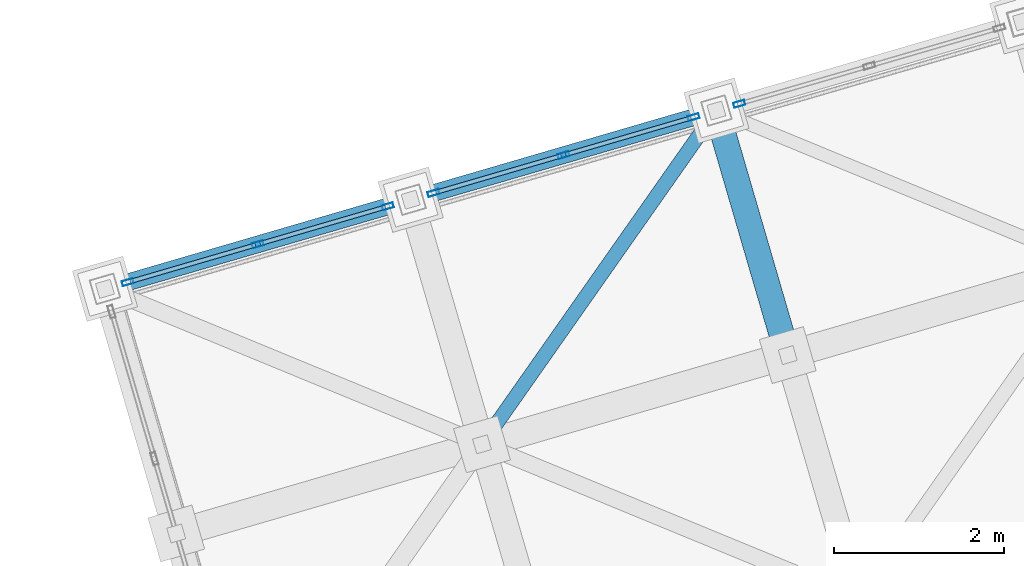
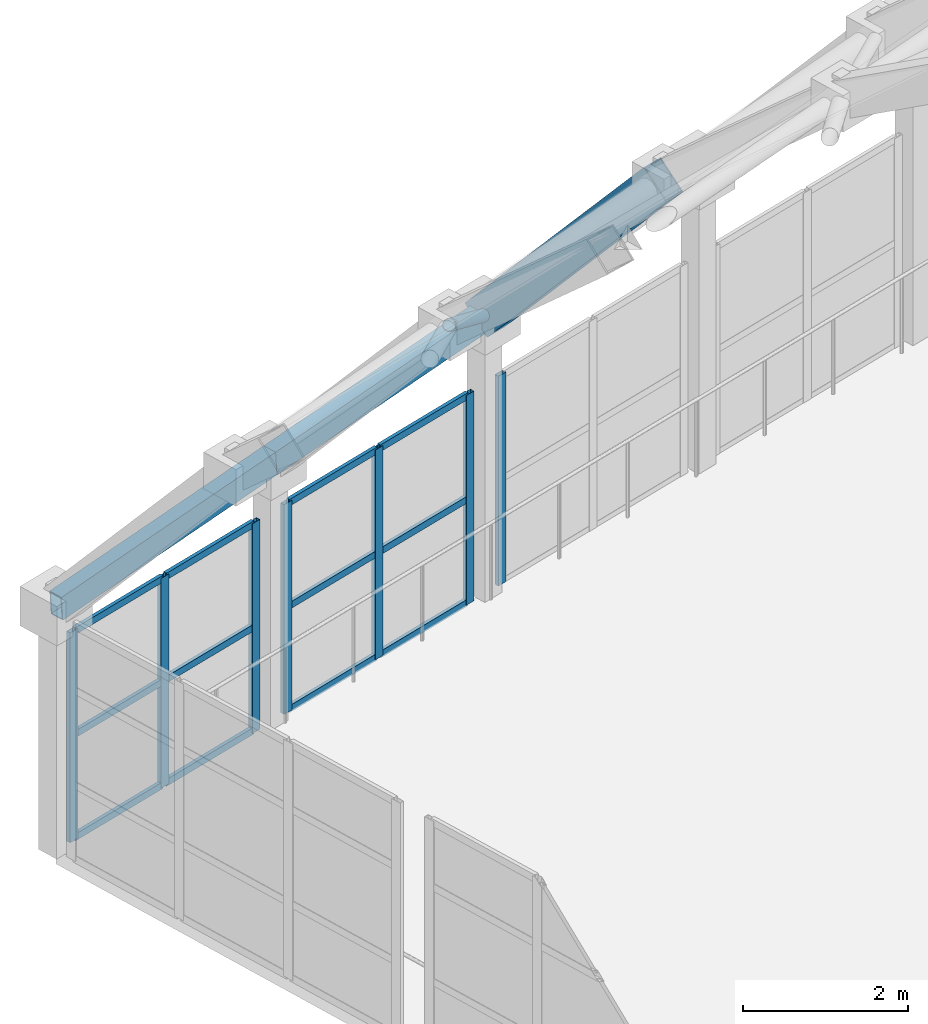
# One storey, part 53 of 248: 20 members, 3 beams, 3 elements without a shape of their own.
"""IFC4 building model written with IfcOpenShell, lengths in metres."""

import ifcopenshell
import ifcopenshell.guid

model = None  # the IFC model being written
_history = None  # IfcOwnerHistory: only IFC2X3 demands one
_inside = {}  # id of a spatial element -> (the spatial element, [elements in it])
_under = {}  # id of a project, library or spatial element -> (it, [spatial elements below it])
_declared = {}  # id of a project -> (the project, [libraries it declares])
_typed = {}  # id of a type object -> (the type object, [elements of that type])
_made_of = {}  # id of a material, layer set ... -> (it, [elements and type objects made of it])


def new_model(schema):
    """Start an empty IFC model of exactly this schema.

    Asked for "IFC4X3", IfcOpenShell would pick the latest addendum, in which some entities
    have other attributes; the version numbers below select the first issue.
    IFC2X3 requires an IfcOwnerHistory on every rooted entity: one is made here for all.
    """
    global model, _history
    if schema == "IFC4X3":
        model = ifcopenshell.file(schema_version=(4, 3, 0, 0))
    else:
        model = ifcopenshell.file(schema=schema)
    _inside.clear()
    _under.clear()
    _declared.clear()
    _typed.clear()
    _made_of.clear()
    _history = None
    if model.schema == "IFC2X3":
        org = make("IfcOrganization", Name="unknown")
        user = make(
            "IfcPersonAndOrganization",
            ThePerson=make("IfcPerson", FamilyName="unknown"),
            TheOrganization=org,
        )
        app = make(
            "IfcApplication",
            ApplicationDeveloper=org,
            Version="unknown",
            ApplicationFullName="unknown",
            ApplicationIdentifier="unknown",
        )
        _history = make(
            "IfcOwnerHistory",
            OwningUser=user,
            OwningApplication=app,
            ChangeAction="ADDED",
            CreationDate=0,
        )
    return model


def make(cls, **values):
    """One entity of the class cls with the attributes given. An attribute that is None is left unset."""
    return model.create_entity(
        cls, **{name: value for name, value in values.items() if value is not None}
    )


def rooted(cls, **values):
    """An entity with a GlobalId (a new one), such as an element, a storey or a relation."""
    return make(cls, GlobalId=ifcopenshell.guid.new(), OwnerHistory=_history, **values)


def si_unit(unit_type, name, prefix=None):
    """IfcSIUnit, for example si_unit("LENGTHUNIT", "METRE", prefix="MILLI")."""
    return make("IfcSIUnit", UnitType=unit_type, Prefix=prefix, Name=name)


def assignment(units):
    """IfcUnitAssignment: the units of a project."""
    return None if units is None else make("IfcUnitAssignment", Units=units)


def point(xyz):
    """IfcCartesianPoint."""
    return None if xyz is None else make("IfcCartesianPoint", Coordinates=xyz)


def direction(xyz):
    """IfcDirection."""
    return None if xyz is None else make("IfcDirection", DirectionRatios=xyz)


def frame(location, z_axis=None, x_axis=None):
    """IfcAxis2Placement3D, a coordinate frame: its origin and axes. An axis left out is left unset."""
    return make(
        "IfcAxis2Placement3D",
        Location=point(location),
        Axis=direction(z_axis),
        RefDirection=direction(x_axis),
    )


def frame_2d(location, x_axis=None):
    """IfcAxis2Placement2D, a coordinate frame in the plane: its origin and x axis."""
    return make(
        "IfcAxis2Placement2D", Location=point(location), RefDirection=direction(x_axis)
    )


def origin():
    """The frame at (0, 0, 0) with its axes left unset."""
    return frame((0.0, 0.0, 0.0))


def origin_2d():
    """The frame at (0, 0) in the plane with its x axis left unset."""
    return frame_2d((0.0, 0.0))


def place(relative_to, where):
    """IfcLocalPlacement: puts the frame where relative to a parent placement (None: the world)."""
    return make(
        "IfcLocalPlacement", PlacementRelTo=relative_to, RelativePlacement=where
    )


def context(
    kind, dimensions, precision=None, world=None, true_north=None, identifier=None
):
    """IfcGeometricRepresentationContext, for example the 3D "Model" context."""
    return make(
        "IfcGeometricRepresentationContext",
        ContextIdentifier=identifier,
        ContextType=kind,
        CoordinateSpaceDimension=dimensions,
        Precision=precision,
        WorldCoordinateSystem=world,
        TrueNorth=true_north,
    )


def subcontext(parent, identifier, kind, view, scale=None):
    """IfcGeometricRepresentationSubContext, for example "Body" below "Model"."""
    return make(
        "IfcGeometricRepresentationSubContext",
        ContextIdentifier=identifier,
        ContextType=kind,
        ParentContext=parent,
        TargetScale=scale,
        TargetView=view,
    )


def project(units=None, contexts=None):
    """IfcProject with its units and contexts."""
    return rooted(
        "IfcProject",
        Name="project",
        RepresentationContexts=contexts,
        UnitsInContext=assignment(units),
    )


def spatial(cls, under=None, at=None, **own):
    """A site, building, storey or space (cls), placed at a placement, below another one or the project."""
    s = rooted(cls, ObjectPlacement=at, **own)
    if under is not None:
        _under.setdefault(under.id(), (under, []))[1].append(s)
    return s


def profile(cls, at=None, kind="AREA", **sizes):
    """A parametric profile (cls). Its sizes go by their IFC names, for example OverallWidth=200.0."""
    return make(cls, ProfileType=kind, Position=at, **sizes)


def hollow_rectangle(**sizes):
    """IfcRectangleHollowProfileDef."""
    return profile("IfcRectangleHollowProfileDef", **sizes)


def hollow_circle(**sizes):
    """IfcCircleHollowProfileDef."""
    return profile("IfcCircleHollowProfileDef", **sizes)


def extrude(swept, where, along, depth):
    """IfcExtrudedAreaSolid: the profile swept, set in the frame where, extruded along a direction by depth."""
    return make(
        "IfcExtrudedAreaSolid",
        SweptArea=swept,
        Position=where,
        ExtrudedDirection=direction(along),
        Depth=depth,
    )


def shape(context_of_items, identifier, shape_type, items):
    """IfcShapeRepresentation: the items that make up one representation, for example the "Body"."""
    return make(
        "IfcShapeRepresentation",
        ContextOfItems=context_of_items,
        RepresentationIdentifier=identifier,
        RepresentationType=shape_type,
        Items=items,
    )


def material(Name=None, Category=None):
    """IfcMaterial."""
    return make("IfcMaterial", Name=Name, Category=Category)


def layer(
    of_material, thickness, ventilated=None, Name=None, Category=None, Priority=None
):
    """IfcMaterialLayer: one layer of a wall or slab, of a material (None: an air gap)."""
    return make(
        "IfcMaterialLayer",
        Material=of_material,
        LayerThickness=thickness,
        IsVentilated=ventilated,
        Name=Name,
        Category=Category,
        Priority=Priority,
    )


def layer_set(layers, Name=None):
    """IfcMaterialLayerSet."""
    return make("IfcMaterialLayerSet", MaterialLayers=layers, LayerSetName=Name)


def material_profile(
    of_material, cross_section, Name=None, Category=None, Priority=None
):
    """IfcMaterialProfile: a cross section and its material."""
    return make(
        "IfcMaterialProfile",
        Name=Name,
        Material=of_material,
        Profile=cross_section,
        Priority=Priority,
        Category=Category,
    )


def profile_set(profiles, Name=None, composite=None):
    """IfcMaterialProfileSet."""
    return make(
        "IfcMaterialProfileSet",
        Name=Name,
        MaterialProfiles=profiles,
        CompositeProfile=composite,
    )


def made_of(thing, what):
    """Note that an element or type object is made of a material, layer set ...; save() writes the relation."""
    if what is not None:
        _made_of.setdefault(what.id(), (what, []))[1].append(thing)
    return thing


def type_object(cls, material=None, **own):
    """A type object (cls), such as IfcWallType, which elements share."""
    return made_of(rooted(cls, **own), material)


def element(
    cls,
    number,
    at=None,
    inside=None,
    cuts=None,
    type_object=None,
    material=None,
    context=None,
    identifier="Body",
    shape_type=None,
    held_by="IfcProductDefinitionShape",
    body=None,
    shapes=None,
    **own,
):
    """One element of the class cls, such as IfcWall. Its Tag is "e" and its number.

    at: its placement. inside: the storey or other place that contains it. cuts: it is an
    opening in that element (IfcRelVoidsElement). A single representation is given by context,
    identifier, shape_type and body (its items); several are given by shapes. held_by: the class
    of the entity that holds the representations. save() writes the other relations.
    """
    e = rooted(cls, Tag="e%d" % number, ObjectPlacement=at, **own)
    if body is not None:
        shapes = [shape(context, identifier, shape_type, body)]
    if shapes is not None:
        e.Representation = make(held_by, Representations=shapes)
    if inside is not None:
        _inside.setdefault(inside.id(), (inside, []))[1].append(e)
    if cuts is not None:
        rooted(
            "IfcRelVoidsElement", RelatingBuildingElement=cuts, RelatedOpeningElement=e
        )
    if type_object is not None:
        _typed.setdefault(type_object.id(), (type_object, []))[1].append(e)
    return made_of(e, material)


def aggregate(whole, parts):
    """IfcRelAggregates: a whole, such as a stair, and the parts it consists of."""
    return rooted("IfcRelAggregates", RelatingObject=whole, RelatedObjects=parts)


def save(model, path):
    """Write the relations noted so far, then the file.

    IfcRelAggregates (storeys below a building ...), IfcRelContainedInSpatialStructure (elements
    in a storey), IfcRelDefinesByType, IfcRelAssociatesMaterial and IfcRelDeclares: one each for
    every whole, place, type object, material and project.
    """
    for whole, parts in _under.values():
        aggregate(whole, parts)
    for where, things in _inside.values():
        rooted(
            "IfcRelContainedInSpatialStructure",
            RelatedElements=things,
            RelatingStructure=where,
        )
    for kind, things in _typed.values():
        rooted("IfcRelDefinesByType", RelatedObjects=things, RelatingType=kind)
    for what, things in _made_of.values():
        rooted("IfcRelAssociatesMaterial", RelatedObjects=things, RelatingMaterial=what)
    for by, libraries in _declared.values():
        rooted("IfcRelDeclares", RelatingContext=by, RelatedDefinitions=libraries)
    model.write(path)


model = new_model("IFC4")

# Units and contexts
model_context = context("Model", 3, precision=1e-05, world=origin(), true_north=direction((0.0, 1.0)))
body_context = subcontext(model_context, "Body", "Model", "MODEL_VIEW")
ifc_project = project(units=[si_unit("LENGTHUNIT", "METRE"), si_unit("AREAUNIT", "SQUARE_METRE"), si_unit("VOLUMEUNIT", "CUBIC_METRE"), si_unit("PLANEANGLEUNIT", "RADIAN"), si_unit("MASSUNIT", "GRAM", prefix="KILO")], contexts=[model_context])

# Site, building, storey
site_placement = place(None, origin())
site = spatial("IfcSite", under=ifc_project, at=site_placement, CompositionType="ELEMENT")
building_placement = place(site_placement, origin())
building = spatial("IfcBuilding", under=site, at=building_placement, Name="Canggui Botanical Conservatory", CompositionType="ELEMENT")
storey_placement = place(building_placement, frame((0.0, 0.0, 5.39990234375)))
storey = spatial("IfcBuildingStorey", under=building, at=storey_placement, Name="L02", CompositionType="ELEMENT", Elevation=5.39990234375)

# Beams
ifc_material_1 = material(Name="Steel Q355C", Category="steel")
ifc_material_profile_1 = material_profile(ifc_material_1, hollow_rectangle(XDim=0.300048828125, YDim=0.5, WallThickness=0.01611328125, at=origin_2d()), Name="RHS 300x500x16")
ifc_profile_set_1 = profile_set([ifc_material_profile_1], Name="Steel Q355C")
beam_type_1 = type_object("IfcBeamType", Name="BM-GJ01", PredefinedType="BEAM", material=ifc_profile_set_1)
beam_placement = place(storey_placement, frame((19.639892578125, 70.02001953125, 7.55615234375), z_axis=(-0.183516511104, 0.629290920054, -0.755191782324), x_axis=(-0.960010937337, -0.279962497833, 0.0)))
element("IfcBeam", 1, at=beam_placement, inside=storey, type_object=beam_type_1, Name="Conservatory Stepped-Arch Rib GJ-03 Segment 10", PredefinedType="BEAM", context=body_context, shape_type="SweptSolid", body=[
    extrude(hollow_rectangle(XDim=0.300048828125, YDim=0.5, WallThickness=0.01611328125, at=origin_2d()), origin(), (0.0, 0.0, 1.0), 4.576416015625),
])
ifc_material_profile_2 = material_profile(ifc_material_1, hollow_rectangle(XDim=0.199951171875, YDim=0.35009765625, WallThickness=0.011962890625, at=origin_2d()), Name="RHS 200x350x12")
ifc_profile_set_2 = profile_set([ifc_material_profile_2], Name="Steel Q355C")
beam_type_2 = type_object("IfcBeamType", Name="BM-RING01", PredefinedType="BEAM", material=ifc_profile_set_2)
for number, where, z_axis, x_axis, name in (
    (2, (11.60009765625, 70.800048828125, 3.60009765625), (0.957867059601, 0.279402253194, 0.066521252562), (-0.280022500685, 0.959993437014, 0.0), "Conservatory Perimeter Ring Beam V1-01"),
    (3, (15.199951171875, 71.85009765625, 3.85009765625), (0.957889800097, 0.279324979006, 0.066518320582), (-0.279945000113, 0.960016039924, 0.0), "Conservatory Perimeter Ring Beam V1-02"),
):
    element("IfcBeam", number, at=place(storey_placement, frame(where, z_axis=z_axis, x_axis=x_axis)), inside=storey, type_object=beam_type_2, Name=name, PredefinedType="BEAM", context=body_context, shape_type="SweptSolid", body=[
        extrude(hollow_rectangle(XDim=0.199951171875, YDim=0.35009765625, WallThickness=0.011962890625, at=origin_2d()), origin(), (0.0, 0.0, 1.0), 3.75830078125),
    ])

# Curtain wall, members
ifc_material_2 = material(Name="Thermally Broken Aluminium", Category="aluminium")
ifc_layer = layer(ifc_material_2, 0.135009765625, Name="Thermally Broken Aluminium", Category="aluminium")
ifc_layer_set = layer_set([ifc_layer], Name="Thermally Broken Aluminium")
curtain_wall_type = type_object("IfcCurtainWallType", Name="CW-STICK-A", PredefinedType="USERDEFINED", material=ifc_layer_set)
curtain_wall_1_placement = place(storey_placement, origin())
curtain_wall_1 = element("IfcCurtainWall", 4, at=curtain_wall_1_placement, inside=storey, type_object=curtain_wall_type, Name="Facade Curtain Wall CW-CONS-L02-V1-01", ObjectType="STICK GLAZED WALL", PredefinedType="USERDEFINED")
ifc_material_profile_3 = material_profile(ifc_material_2, hollow_rectangle(XDim=0.06005859375, YDim=0.135009765625, WallThickness=0.00341796875, at=origin_2d()), Name="CWM 60x135x3.5")
ifc_profile_set_3 = profile_set([ifc_material_profile_3], Name="Thermally Broken Aluminium")
member_type_1 = type_object("IfcMemberType", Name="CWM-04", PredefinedType="MULLION", material=ifc_profile_set_3)
member_1_placement = place(storey_placement, frame((11.868896484375, 70.87841796875, 0.0), z_axis=(0.0, 0.0, 1.0), x_axis=(-0.279999999995, 0.960000000002, 0.0)))
member_1 = element("IfcMember", 5, at=member_1_placement, type_object=member_type_1, Name="CW-04 mullion 1", PredefinedType="MULLION", context=body_context, shape_type="SweptSolid", body=[
    extrude(hollow_rectangle(XDim=0.06005859375, YDim=0.135009765625, WallThickness=0.00341796875, at=origin_2d()), origin(), (0.0, 0.0, 1.0), 3.10009765625),
])
member_2_placement = place(storey_placement, frame((13.39990234375, 71.324951171875, 0.0), z_axis=(0.0, 0.0, 1.0), x_axis=(-0.279999999995, 0.960000000002, 0.0)))
member_2 = element("IfcMember", 6, at=member_2_placement, type_object=member_type_1, Name="CW-04 mullion 2", PredefinedType="MULLION", context=body_context, shape_type="SweptSolid", body=[
    extrude(hollow_rectangle(XDim=0.06005859375, YDim=0.135009765625, WallThickness=0.00341796875, at=origin_2d()), origin(), (0.0, 0.0, 1.0), 3.10009765625),
])
member_3_placement = place(storey_placement, frame((14.93115234375, 71.771484375, 0.0), z_axis=(0.0, 0.0, 1.0), x_axis=(-0.279999999995, 0.960000000002, 0.0)))
member_3 = element("IfcMember", 7, at=member_3_placement, type_object=member_type_1, Name="CW-04 mullion 3", PredefinedType="MULLION", context=body_context, shape_type="SweptSolid", body=[
    extrude(hollow_rectangle(XDim=0.06005859375, YDim=0.135009765625, WallThickness=0.00341796875, at=origin_2d()), origin(), (0.0, 0.0, 1.0), 3.10009765625),
])

curtain_wall_2_placement = place(storey_placement, origin())
curtain_wall_2 = element("IfcCurtainWall", 8, at=curtain_wall_2_placement, inside=storey, type_object=curtain_wall_type, Name="Facade Curtain Wall CW-CONS-L02-V1-02", ObjectType="STICK GLAZED WALL", PredefinedType="USERDEFINED")
member_4_placement = place(storey_placement, frame((15.46875, 71.928466796875, 0.0), z_axis=(0.0, 0.0, 1.0), x_axis=(-0.279999999995, 0.960000000002, 0.0)))
member_4 = element("IfcMember", 9, at=member_4_placement, type_object=member_type_1, Name="CW-04 mullion 1", PredefinedType="MULLION", context=body_context, shape_type="SweptSolid", body=[
    extrude(hollow_rectangle(XDim=0.06005859375, YDim=0.135009765625, WallThickness=0.00341796875, at=origin_2d()), origin(), (0.0, 0.0, 1.0), 3.10009765625),
])
member_5_placement = place(storey_placement, frame((17.0, 72.375, 0.0), z_axis=(0.0, 0.0, 1.0), x_axis=(-0.279999999995, 0.960000000002, 0.0)))
member_5 = element("IfcMember", 10, at=member_5_placement, type_object=member_type_1, Name="CW-04 mullion 2", PredefinedType="MULLION", context=body_context, shape_type="SweptSolid", body=[
    extrude(hollow_rectangle(XDim=0.06005859375, YDim=0.135009765625, WallThickness=0.00341796875, at=origin_2d()), origin(), (0.0, 0.0, 1.0), 3.10009765625),
])
member_6_placement = place(storey_placement, frame((18.53125, 72.821533203125, 0.0), z_axis=(0.0, 0.0, 1.0), x_axis=(-0.279999999995, 0.960000000002, 0.0)))
member_6 = element("IfcMember", 11, at=member_6_placement, type_object=member_type_1, Name="CW-04 mullion 3", PredefinedType="MULLION", context=body_context, shape_type="SweptSolid", body=[
    extrude(hollow_rectangle(XDim=0.06005859375, YDim=0.135009765625, WallThickness=0.00341796875, at=origin_2d()), origin(), (0.0, 0.0, 1.0), 3.10009765625),
])

# Curtain wall, member
curtain_wall_3_placement = place(storey_placement, origin())
curtain_wall_3 = element("IfcCurtainWall", 12, at=curtain_wall_3_placement, inside=storey, type_object=curtain_wall_type, Name="Facade Curtain Wall CW-CONS-L02-V1-03", ObjectType="STICK GLAZED WALL", PredefinedType="USERDEFINED")
member_7_placement = place(storey_placement, frame((19.06884765625, 72.978515625, 0.0), z_axis=(0.0, 0.0, 1.0), x_axis=(-0.279999999995, 0.960000000002, 0.0)))
member_7 = element("IfcMember", 13, at=member_7_placement, type_object=member_type_1, Name="CW-04 mullion 1", PredefinedType="MULLION", context=body_context, shape_type="SweptSolid", body=[
    extrude(hollow_rectangle(XDim=0.06005859375, YDim=0.135009765625, WallThickness=0.00341796875, at=origin_2d()), origin(), (0.0, 0.0, 1.0), 3.10009765625),
])
aggregate(curtain_wall_3, [member_7])

# Member
ifc_material_profile_4 = material_profile(ifc_material_2, hollow_rectangle(XDim=0.050048828125, YDim=0.10009765625, WallThickness=0.0029296875, at=origin_2d()), Name="CWT 50x100x3")
ifc_profile_set_4 = profile_set([ifc_material_profile_4], Name="Thermally Broken Aluminium")
member_type_2 = type_object("IfcMemberType", Name="CWT-04", PredefinedType="USERDEFINED", material=ifc_profile_set_4)
member_8_placement = place(storey_placement, frame((11.897705078125, 70.88671875, 0.025146484375), z_axis=(0.95996614364, 0.28011605285, 0.0), x_axis=(-0.28011605285, 0.95996614364, 0.0)))
member_8 = element("IfcMember", 14, at=member_8_placement, type_object=member_type_2, Name="CW-04 transom 1.1", ObjectType="TRANSOM", PredefinedType="USERDEFINED", context=body_context, shape_type="SweptSolid", body=[
    extrude(hollow_rectangle(XDim=0.050048828125, YDim=0.10009765625, WallThickness=0.0029296875, at=origin_2d()), origin(), (0.0, 0.0, 1.0), 1.534912109375),
])

member_9_placement = place(storey_placement, frame((11.897705078125, 70.88671875, 1.550048828125), z_axis=(0.95996614364, 0.28011605285, 0.0), x_axis=(-0.28011605285, 0.95996614364, 0.0)))
member_9 = element("IfcMember", 15, at=member_9_placement, type_object=member_type_2, Name="CW-04 transom 1.2", ObjectType="TRANSOM", PredefinedType="USERDEFINED", context=body_context, shape_type="SweptSolid", body=[
    extrude(hollow_rectangle(XDim=0.050048828125, YDim=0.10009765625, WallThickness=0.0029296875, at=origin_2d()), origin(), (0.0, 0.0, 1.0), 1.534912109375),
])

member_10_placement = place(storey_placement, frame((11.897705078125, 70.88671875, 3.0751953125), z_axis=(0.95996614364, 0.28011605285, 0.0), x_axis=(-0.28011605285, 0.95996614364, 0.0)))
member_10 = element("IfcMember", 16, at=member_10_placement, type_object=member_type_2, Name="CW-04 transom 1.3", ObjectType="TRANSOM", PredefinedType="USERDEFINED", context=body_context, shape_type="SweptSolid", body=[
    extrude(hollow_rectangle(XDim=0.050048828125, YDim=0.10009765625, WallThickness=0.0029296875, at=origin_2d()), origin(), (0.0, 0.0, 1.0), 1.534912109375),
])

member_11_placement = place(storey_placement, frame((13.4287109375, 71.33349609375, 0.025146484375), z_axis=(0.960021373424, 0.279926709282, 0.0), x_axis=(-0.279926709282, 0.960021373424, 0.0)))
member_11 = element("IfcMember", 17, at=member_11_placement, type_object=member_type_2, Name="CW-04 transom 2.1", ObjectType="TRANSOM", PredefinedType="USERDEFINED", context=body_context, shape_type="SweptSolid", body=[
    extrude(hollow_rectangle(XDim=0.050048828125, YDim=0.10009765625, WallThickness=0.0029296875, at=origin_2d()), origin(), (0.0, 0.0, 1.0), 1.534912109375),
])

member_12_placement = place(storey_placement, frame((13.4287109375, 71.33349609375, 1.550048828125), z_axis=(0.960021373424, 0.279926709282, 0.0), x_axis=(-0.279926709282, 0.960021373424, 0.0)))
member_12 = element("IfcMember", 18, at=member_12_placement, type_object=member_type_2, Name="CW-04 transom 2.2", ObjectType="TRANSOM", PredefinedType="USERDEFINED", context=body_context, shape_type="SweptSolid", body=[
    extrude(hollow_rectangle(XDim=0.050048828125, YDim=0.10009765625, WallThickness=0.0029296875, at=origin_2d()), origin(), (0.0, 0.0, 1.0), 1.534912109375),
])

member_13_placement = place(storey_placement, frame((13.4287109375, 71.33349609375, 3.0751953125), z_axis=(0.960021373424, 0.279926709282, 0.0), x_axis=(-0.279926709282, 0.960021373424, 0.0)))
member_13 = element("IfcMember", 19, at=member_13_placement, type_object=member_type_2, Name="CW-04 transom 2.3", ObjectType="TRANSOM", PredefinedType="USERDEFINED", context=body_context, shape_type="SweptSolid", body=[
    extrude(hollow_rectangle(XDim=0.050048828125, YDim=0.10009765625, WallThickness=0.0029296875, at=origin_2d()), origin(), (0.0, 0.0, 1.0), 1.534912109375),
])

aggregate(curtain_wall_1, [member_1, member_2, member_3, member_8, member_9, member_10, member_11, member_12, member_13])

member_14_placement = place(storey_placement, frame((15.49755859375, 71.936767578125, 0.025146484375), z_axis=(0.959978621933, 0.280073285822, 0.0), x_axis=(-0.280073285822, 0.959978621933, 0.0)))
member_14 = element("IfcMember", 20, at=member_14_placement, type_object=member_type_2, Name="CW-04 transom 1.1", ObjectType="TRANSOM", PredefinedType="USERDEFINED", context=body_context, shape_type="SweptSolid", body=[
    extrude(hollow_rectangle(XDim=0.050048828125, YDim=0.10009765625, WallThickness=0.0029296875, at=origin_2d()), origin(), (0.0, 0.0, 1.0), 1.53515625),
])

member_15_placement = place(storey_placement, frame((15.49755859375, 71.936767578125, 1.550048828125), z_axis=(0.959978621933, 0.280073285822, 0.0), x_axis=(-0.280073285822, 0.959978621933, 0.0)))
member_15 = element("IfcMember", 21, at=member_15_placement, type_object=member_type_2, Name="CW-04 transom 1.2", ObjectType="TRANSOM", PredefinedType="USERDEFINED", context=body_context, shape_type="SweptSolid", body=[
    extrude(hollow_rectangle(XDim=0.050048828125, YDim=0.10009765625, WallThickness=0.0029296875, at=origin_2d()), origin(), (0.0, 0.0, 1.0), 1.53515625),
])

member_16_placement = place(storey_placement, frame((15.49755859375, 71.936767578125, 3.0751953125), z_axis=(0.959978621933, 0.280073285822, 0.0), x_axis=(-0.280073285822, 0.959978621933, 0.0)))
member_16 = element("IfcMember", 22, at=member_16_placement, type_object=member_type_2, Name="CW-04 transom 1.3", ObjectType="TRANSOM", PredefinedType="USERDEFINED", context=body_context, shape_type="SweptSolid", body=[
    extrude(hollow_rectangle(XDim=0.050048828125, YDim=0.10009765625, WallThickness=0.0029296875, at=origin_2d()), origin(), (0.0, 0.0, 1.0), 1.53515625),
])

member_17_placement = place(storey_placement, frame((17.02880859375, 72.38330078125, 0.025146484375), z_axis=(0.959978621933, 0.280073285822, 0.0), x_axis=(-0.280073285822, 0.959978621933, 0.0)))
member_17 = element("IfcMember", 23, at=member_17_placement, type_object=member_type_2, Name="CW-04 transom 2.1", ObjectType="TRANSOM", PredefinedType="USERDEFINED", context=body_context, shape_type="SweptSolid", body=[
    extrude(hollow_rectangle(XDim=0.050048828125, YDim=0.10009765625, WallThickness=0.0029296875, at=origin_2d()), origin(), (0.0, 0.0, 1.0), 1.53515625),
])

member_18_placement = place(storey_placement, frame((17.02880859375, 72.38330078125, 1.550048828125), z_axis=(0.959978621933, 0.280073285822, 0.0), x_axis=(-0.280073285822, 0.959978621933, 0.0)))
member_18 = element("IfcMember", 24, at=member_18_placement, type_object=member_type_2, Name="CW-04 transom 2.2", ObjectType="TRANSOM", PredefinedType="USERDEFINED", context=body_context, shape_type="SweptSolid", body=[
    extrude(hollow_rectangle(XDim=0.050048828125, YDim=0.10009765625, WallThickness=0.0029296875, at=origin_2d()), origin(), (0.0, 0.0, 1.0), 1.53515625),
])

member_19_placement = place(storey_placement, frame((17.02880859375, 72.38330078125, 3.0751953125), z_axis=(0.959978621933, 0.280073285822, 0.0), x_axis=(-0.280073285822, 0.959978621933, 0.0)))
member_19 = element("IfcMember", 25, at=member_19_placement, type_object=member_type_2, Name="CW-04 transom 2.3", ObjectType="TRANSOM", PredefinedType="USERDEFINED", context=body_context, shape_type="SweptSolid", body=[
    extrude(hollow_rectangle(XDim=0.050048828125, YDim=0.10009765625, WallThickness=0.0029296875, at=origin_2d()), origin(), (0.0, 0.0, 1.0), 1.53515625),
])

aggregate(curtain_wall_2, [member_4, member_5, member_6, member_14, member_15, member_16, member_17, member_18, member_19])

ifc_material_profile_5 = material_profile(ifc_material_1, hollow_circle(Radius=0.083984375, WallThickness=0.008056640625, at=origin_2d()), Name="CHS 168x8")
ifc_profile_set_5 = profile_set([ifc_material_profile_5], Name="Steel Q355C")
member_type_3 = type_object("IfcMemberType", Name="MEM-GSD03", PredefinedType="RAFTER", material=ifc_profile_set_5)
member_20_placement = place(storey_placement, frame((16.0400390625, 68.969970703125, 7.30615234375), z_axis=(0.477994158586, 0.680607870035, -0.555242750159), x_axis=(-0.818344854073, 0.574727500484, 0.0)))
element("IfcMember", 26, at=member_20_placement, inside=storey, type_object=member_type_3, Name="Conservatory Gridshell Diagrid Rafter 2-10", PredefinedType="RAFTER", context=body_context, shape_type="SweptSolid", body=[
    extrude(hollow_circle(Radius=0.083984375, WallThickness=0.008056640625, at=origin_2d()), origin(), (0.0, 0.0, 1.0), 5.774169921875),
])

save(model, "model.ifc")
